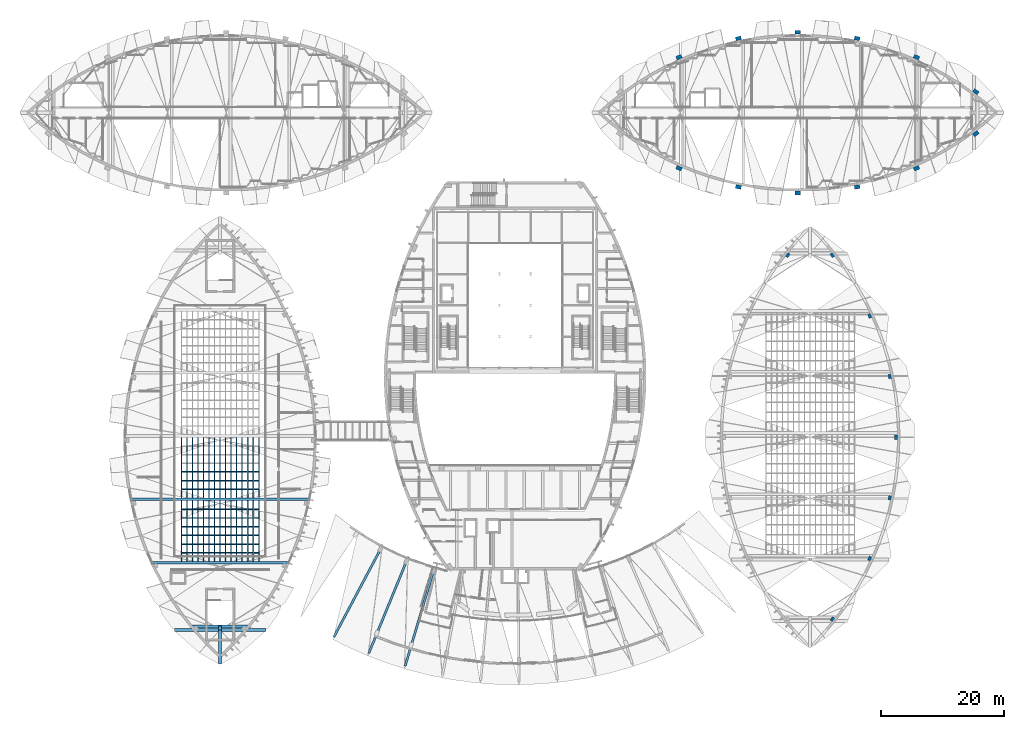
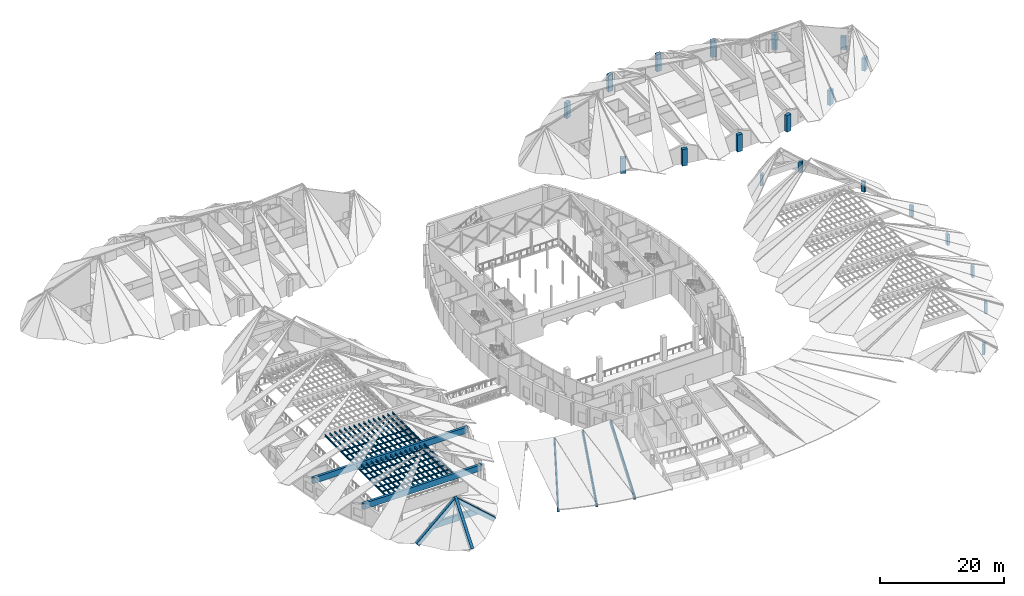
# One storey, part 5 of 56: 48 beams, 20 columns.
"""IFC4 building model written with IfcOpenShell, lengths in metres."""

from ifc_helpers import new_model, si_unit, direction, frame, origin, origin_2d, place, context, subcontext, project, spatial, rectangle, i_section, extrude, material, material_profile, profile_set, type_object, element, save


model = new_model("IFC4")

# Units and contexts
model_context = context("Model", 3, precision=1e-05, world=origin(), true_north=direction((0.0, 1.0)))
body_context = subcontext(model_context, "Body", "Model", "MODEL_VIEW")
ifc_project = project(units=[si_unit("LENGTHUNIT", "METRE"), si_unit("AREAUNIT", "SQUARE_METRE"), si_unit("VOLUMEUNIT", "CUBIC_METRE"), si_unit("PLANEANGLEUNIT", "RADIAN"), si_unit("MASSUNIT", "GRAM", prefix="KILO")], contexts=[model_context])

# Site, building, storey
site_placement = place(None, origin())
site = spatial("IfcSite", under=ifc_project, at=site_placement, CompositionType="ELEMENT")
building_placement = place(site_placement, origin())
building = spatial("IfcBuilding", under=site, at=building_placement, Name="Tide Square Theatres", CompositionType="ELEMENT")
storey_placement = place(building_placement, frame((0.0, 0.0, 10.199951171875)))
storey = spatial("IfcBuildingStorey", under=building, at=storey_placement, Name="L02", CompositionType="ELEMENT", Elevation=10.199951171875)

# Columns
ifc_material_1 = material(Name="Concrete C40", Category="concrete")
ifc_material_profile_1 = material_profile(ifc_material_1, rectangle(XDim=0.699951171875, YDim=0.449951171875, at=origin_2d()))
ifc_profile_set_1 = profile_set([ifc_material_profile_1], Name="Concrete C40")
column_type_1 = type_object("IfcColumnType", Name="RC pier 700 x 450", PredefinedType="PILASTER", material=ifc_profile_set_1)
column_1_placement = place(storey_placement, frame((135.609375, 15.390869140625, 0.0), z_axis=(0.0, 0.0, 1.0), x_axis=(0.625818839057, 0.779968448517, 0.0)))
element("IfcColumn", 1, at=column_1_placement, inside=storey, type_object=column_type_1, Name="Black Box Theatre wall pier", PredefinedType="PILASTER", context=body_context, shape_type="SweptSolid", body=[
    extrude(rectangle(XDim=0.699951171875, YDim=0.449951171875, at=origin_2d()), origin(), (0.0, 0.0, 1.0), 2.12548828125),
])
column_2_placement = place(storey_placement, frame((141.694091796875, 25.261474609375, 0.0), z_axis=(0.0, 0.0, 1.0), x_axis=(0.419559661178, 0.907727762444, 0.0)))
element("IfcColumn", 2, at=column_2_placement, inside=storey, type_object=column_type_1, Name="Black Box Theatre wall pier", PredefinedType="PILASTER", context=body_context, shape_type="SweptSolid", body=[
    extrude(rectangle(XDim=0.699951171875, YDim=0.449951171875, at=origin_2d()), origin(), (0.0, 0.0, 1.0), 2.129150390625),
])
column_3_placement = place(storey_placement, frame((144.962646484375, 35.130615234375, 0.0), z_axis=(0.0, 0.0, 1.0), x_axis=(0.20956121082, 0.977795530221, 0.0)))
element("IfcColumn", 3, at=column_3_placement, inside=storey, type_object=column_type_1, Name="Black Box Theatre wall pier", PredefinedType="PILASTER", context=body_context, shape_type="SweptSolid", body=[
    extrude(rectangle(XDim=0.699951171875, YDim=0.449951171875, at=origin_2d()), origin(), (0.0, 0.0, 1.0), 2.169921875),
])
column_4_placement = place(storey_placement, frame((146.001953125, 45.0, 0.0), z_axis=(0.0, 0.0, 1.0), x_axis=(0.0, 1.0, 0.0)))
element("IfcColumn", 4, at=column_4_placement, inside=storey, type_object=column_type_1, Name="Black Box Theatre wall pier", PredefinedType="PILASTER", context=body_context, shape_type="SweptSolid", body=[
    extrude(rectangle(XDim=0.699951171875, YDim=0.449951171875, at=origin_2d()), origin(), (0.0, 0.0, 1.0), 2.16552734375),
])
column_5_placement = place(storey_placement, frame((144.962646484375, 54.869384765625, 0.0), z_axis=(0.0, 0.0, 1.0), x_axis=(-0.20956121082, 0.977795530221, 0.0)))
element("IfcColumn", 5, at=column_5_placement, inside=storey, type_object=column_type_1, Name="Black Box Theatre wall pier", PredefinedType="PILASTER", context=body_context, shape_type="SweptSolid", body=[
    extrude(rectangle(XDim=0.699951171875, YDim=0.449951171875, at=origin_2d()), origin(), (0.0, 0.0, 1.0), 2.166259765625),
])
column_6_placement = place(storey_placement, frame((141.694091796875, 64.738525390625, 0.0), z_axis=(0.0, 0.0, 1.0), x_axis=(-0.419559661178, 0.907727762444, 0.0)))
element("IfcColumn", 6, at=column_6_placement, inside=storey, type_object=column_type_1, Name="Black Box Theatre wall pier", PredefinedType="PILASTER", context=body_context, shape_type="SweptSolid", body=[
    extrude(rectangle(XDim=0.699951171875, YDim=0.449951171875, at=origin_2d()), origin(), (0.0, 0.0, 1.0), 2.111572265625),
])
for number, where, z_axis, x_axis, name in (
    (7, (135.609375, 74.609130859375, 0.0), (0.0, 0.0, 1.0), (-0.625818839057, 0.779968448517, 0.0), "Black Box Theatre wall pier"),
    (8, (128.390625, 74.609130859375, 0.0), (0.0, 0.0, 1.0), (-0.625818839057, -0.779968448517, 0.0), "Black Box Theatre wall pier"),
):
    element("IfcColumn", number, at=place(storey_placement, frame(where, z_axis=z_axis, x_axis=x_axis)), inside=storey, type_object=column_type_1, Name=name, PredefinedType="PILASTER", context=body_context, shape_type="SweptSolid", body=[
        extrude(rectangle(XDim=0.699951171875, YDim=0.449951171875, at=origin_2d()), origin(), (0.0, 0.0, 1.0), 2.12548828125),
    ])
ifc_material_2 = material(Name="Concrete C40", Category="concrete")
ifc_material_profile_2 = material_profile(ifc_material_2, rectangle(XDim=0.89990234375, YDim=0.60009765625, at=origin_2d()))
ifc_profile_set_2 = profile_set([ifc_material_profile_2], Name="Concrete C40")
column_type_2 = type_object("IfcColumnType", Name="RC pier 900 x 600", PredefinedType="PILASTER", material=ifc_profile_set_2)
column_7_placement = place(storey_placement, frame((110.678955078125, 88.76416015625, 0.0), z_axis=(0.0, 0.0, 1.0), x_axis=(0.915419314521, -0.402501526211, 0.0)))
element("IfcColumn", 9, at=column_7_placement, inside=storey, type_object=column_type_2, Name="Rehearsal Block rib pier 2", PredefinedType="PILASTER", context=body_context, shape_type="SweptSolid", body=[
    extrude(rectangle(XDim=0.89990234375, YDim=0.60009765625, at=origin_2d()), origin(), (0.0, 0.0, 1.0), 3.0498046875),
])
column_8_placement = place(storey_placement, frame((120.339599609375, 85.707275390625, 0.0), z_axis=(0.0, 0.0, 1.0), x_axis=(0.979575047818, -0.201078904144, 0.0)))
element("IfcColumn", 10, at=column_8_placement, inside=storey, type_object=column_type_2, Name="Rehearsal Block rib pier 3", PredefinedType="PILASTER", context=body_context, shape_type="SweptSolid", body=[
    extrude(rectangle(XDim=0.89990234375, YDim=0.60009765625, at=origin_2d()), origin(), (0.0, 0.0, 1.0), 3.293701171875),
])
column_9_placement = place(storey_placement, frame((130.0, 84.731201171875, 0.0), z_axis=(0.0, 0.0, 1.0), x_axis=(1.0, 0.0, 0.0)))
element("IfcColumn", 11, at=column_9_placement, inside=storey, type_object=column_type_2, Name="Rehearsal Block rib pier 4", PredefinedType="PILASTER", context=body_context, shape_type="SweptSolid", body=[
    extrude(rectangle(XDim=0.89990234375, YDim=0.60009765625, at=origin_2d()), origin(), (0.0, 0.0, 1.0), 3.381103515625),
])
column_10_placement = place(storey_placement, frame((139.660400390625, 85.707275390625, 0.0), z_axis=(0.0, 0.0, 1.0), x_axis=(0.979575047818, 0.201078904144, 0.0)))
element("IfcColumn", 12, at=column_10_placement, inside=storey, type_object=column_type_2, Name="Rehearsal Block rib pier 5", PredefinedType="PILASTER", context=body_context, shape_type="SweptSolid", body=[
    extrude(rectangle(XDim=0.89990234375, YDim=0.60009765625, at=origin_2d()), origin(), (0.0, 0.0, 1.0), 3.247314453125),
])
column_11_placement = place(storey_placement, frame((149.321044921875, 88.76416015625, 0.0), z_axis=(0.0, 0.0, 1.0), x_axis=(0.915419314521, 0.402501526211, 0.0)))
element("IfcColumn", 13, at=column_11_placement, inside=storey, type_object=column_type_2, Name="Rehearsal Block rib pier 6", PredefinedType="PILASTER", context=body_context, shape_type="SweptSolid", body=[
    extrude(rectangle(XDim=0.89990234375, YDim=0.60009765625, at=origin_2d()), origin(), (0.0, 0.0, 1.0), 2.909912109375),
])
column_12_placement = place(storey_placement, frame((158.97900390625, 94.390625, 0.0), z_axis=(0.0, 0.0, 1.0), x_axis=(0.80192785119, 0.597420891403, 0.0)))
element("IfcColumn", 14, at=column_12_placement, inside=storey, type_object=column_type_2, Name="Rehearsal Block rib pier 7", PredefinedType="PILASTER", context=body_context, shape_type="SweptSolid", body=[
    extrude(rectangle(XDim=0.89990234375, YDim=0.60009765625, at=origin_2d()), origin(), (0.0, 0.0, 1.0), 2.507080078125),
])
column_13_placement = place(storey_placement, frame((110.678955078125, 106.8359375, 0.0), z_axis=(0.0, 0.0, 1.0), x_axis=(-0.915419314521, -0.402501526211, 0.0)))
element("IfcColumn", 15, at=column_13_placement, inside=storey, type_object=column_type_2, Name="Rehearsal Block rib pier 9", PredefinedType="PILASTER", context=body_context, shape_type="SweptSolid", body=[
    extrude(rectangle(XDim=0.89990234375, YDim=0.60009765625, at=origin_2d()), origin(), (0.0, 0.0, 1.0), 3.0498046875),
])
column_14_placement = place(storey_placement, frame((120.339599609375, 109.892822265625, 0.0), z_axis=(0.0, 0.0, 1.0), x_axis=(-0.979575047818, -0.201078904144, 0.0)))
element("IfcColumn", 16, at=column_14_placement, inside=storey, type_object=column_type_2, Name="Rehearsal Block rib pier 10", PredefinedType="PILASTER", context=body_context, shape_type="SweptSolid", body=[
    extrude(rectangle(XDim=0.89990234375, YDim=0.60009765625, at=origin_2d()), origin(), (0.0, 0.0, 1.0), 3.293701171875),
])
column_15_placement = place(storey_placement, frame((130.0, 110.86865234375, 0.0), z_axis=(0.0, 0.0, 1.0), x_axis=(-1.0, 0.0, 0.0)))
element("IfcColumn", 17, at=column_15_placement, inside=storey, type_object=column_type_2, Name="Rehearsal Block rib pier 11", PredefinedType="PILASTER", context=body_context, shape_type="SweptSolid", body=[
    extrude(rectangle(XDim=0.89990234375, YDim=0.60009765625, at=origin_2d()), origin(), (0.0, 0.0, 1.0), 3.381103515625),
])
column_16_placement = place(storey_placement, frame((139.660400390625, 109.892822265625, 0.0), z_axis=(0.0, 0.0, 1.0), x_axis=(-0.979575047818, 0.201078904144, 0.0)))
element("IfcColumn", 18, at=column_16_placement, inside=storey, type_object=column_type_2, Name="Rehearsal Block rib pier 12", PredefinedType="PILASTER", context=body_context, shape_type="SweptSolid", body=[
    extrude(rectangle(XDim=0.89990234375, YDim=0.60009765625, at=origin_2d()), origin(), (0.0, 0.0, 1.0), 3.247314453125),
])
column_17_placement = place(storey_placement, frame((149.321044921875, 106.8359375, 0.0), z_axis=(0.0, 0.0, 1.0), x_axis=(-0.915419314521, 0.402501526211, 0.0)))
element("IfcColumn", 19, at=column_17_placement, inside=storey, type_object=column_type_2, Name="Rehearsal Block rib pier 13", PredefinedType="PILASTER", context=body_context, shape_type="SweptSolid", body=[
    extrude(rectangle(XDim=0.89990234375, YDim=0.60009765625, at=origin_2d()), origin(), (0.0, 0.0, 1.0), 2.909912109375),
])
column_18_placement = place(storey_placement, frame((158.97900390625, 101.20947265625, 0.0), z_axis=(0.0, 0.0, 1.0), x_axis=(-0.80192785119, 0.597420891403, 0.0)))
element("IfcColumn", 20, at=column_18_placement, inside=storey, type_object=column_type_2, Name="Rehearsal Block rib pier 14", PredefinedType="PILASTER", context=body_context, shape_type="SweptSolid", body=[
    extrude(rectangle(XDim=0.89990234375, YDim=0.60009765625, at=origin_2d()), origin(), (0.0, 0.0, 1.0), 2.507080078125),
])

# Beams
ifc_material_3 = material(Name="Concrete C40", Category="concrete")
ifc_material_profile_3 = material_profile(ifc_material_3, rectangle(XDim=0.449951171875, YDim=1.199951171875, at=origin_2d()))
ifc_profile_set_3 = profile_set([ifc_material_profile_3], Name="Concrete C40")
beam_type_1 = type_object("IfcBeamType", Name="RC eaves tie beam 450 x 1200", PredefinedType="BEAM", material=ifc_profile_set_3)
beam_1_placement = place(storey_placement, frame((40.621826171875, 14.177978515625, 3.11865234375), z_axis=(-1.0, 0.0, 0.0), x_axis=(0.0, -1.0, 0.0)))
element("IfcBeam", 21, at=beam_1_placement, inside=storey, type_object=beam_type_1, Name="Eaves tie beam studio 0", PredefinedType="BEAM", context=body_context, shape_type="SweptSolid", body=[
    extrude(rectangle(XDim=0.449951171875, YDim=1.199951171875, at=origin_2d()), origin(), (0.0, 0.0, 1.0), 9.24365234375),
])
beam_2_placement = place(storey_placement, frame((47.118896484375, 24.559814453125, 3.13134765625), z_axis=(-1.0, 0.0, 0.0), x_axis=(0.0, -1.0, 0.0)))
element("IfcBeam", 22, at=beam_2_placement, inside=storey, type_object=beam_type_1, Name="Eaves tie beam studio 1", PredefinedType="BEAM", context=body_context, shape_type="SweptSolid", body=[
    extrude(rectangle(XDim=0.449951171875, YDim=1.199951171875, at=origin_2d()), origin(), (0.0, 0.0, 1.0), 22.23779296875),
])
beam_3_placement = place(storey_placement, frame((50.504150390625, 34.897216796875, 3.12744140625), z_axis=(-1.0, 0.0, 0.0), x_axis=(0.0, -1.0, 0.0)))
element("IfcBeam", 23, at=beam_3_placement, inside=storey, type_object=beam_type_1, Name="Eaves tie beam studio 2", PredefinedType="BEAM", context=body_context, shape_type="SweptSolid", body=[
    extrude(rectangle(XDim=0.449951171875, YDim=1.199951171875, at=origin_2d()), origin(), (0.0, 0.0, 1.0), 29.00830078125),
])
ifc_material_4 = material(Name="Concrete C40", Category="concrete")
ifc_material_profile_4 = material_profile(ifc_material_4, rectangle(XDim=0.35009765625, YDim=0.699951171875, at=origin_2d()))
ifc_profile_set_4 = profile_set([ifc_material_profile_4], Name="Concrete C40")
beam_type_2 = type_object("IfcBeamType", Name="RC foyer roof rib 350 x 700", PredefinedType="BEAM", material=ifc_profile_set_4)
beam_4_placement = place(storey_placement, frame((62.451416015625, 27.41796875, 1.40869140625), z_axis=(-0.465649562225, -0.875611923958, -0.128352030847), x_axis=(0.882914803087, -0.469533226182, 0.0)))
element("IfcBeam", 24, at=beam_4_placement, inside=storey, type_object=beam_type_2, Name="Foyer roof rib 2", PredefinedType="BEAM", context=body_context, shape_type="SweptSolid", body=[
    extrude(rectangle(XDim=0.35009765625, YDim=0.699951171875, at=origin_2d()), origin(), (0.0, 0.0, 1.0), 16.997314453125),
])
beam_5_placement = place(storey_placement, frame((66.61572265625, 25.495849609375, 2.677734375), z_axis=(-0.373913455897, -0.912155940526, -0.167810213227), x_axis=(0.925276997229, -0.379292075318, 0.0)))
element("IfcBeam", 25, at=beam_5_placement, inside=storey, type_object=beam_type_2, Name="Foyer roof rib 3", PredefinedType="BEAM", context=body_context, shape_type="SweptSolid", body=[
    extrude(rectangle(XDim=0.35009765625, YDim=0.699951171875, at=origin_2d()), origin(), (0.0, 0.0, 1.0), 17.112060546875),
])
beam_6_placement = place(storey_placement, frame((70.92431640625, 23.9423828125, 4.02685546875), z_axis=(-0.278960724462, -0.937216627504, -0.209298608065), x_axis=(0.95844447191, -0.285279151473, 0.0)))
element("IfcBeam", 26, at=beam_6_placement, inside=storey, type_object=beam_type_2, Name="Foyer roof rib 4", PredefinedType="BEAM", context=body_context, shape_type="SweptSolid", body=[
    extrude(rectangle(XDim=0.35009765625, YDim=0.699951171875, at=origin_2d()), origin(), (0.0, 0.0, 1.0), 17.20068359375),
])
ifc_material_5 = material(Name="Concrete C40", Category="concrete")
ifc_material_profile_5 = material_profile(ifc_material_5, rectangle(XDim=0.5, YDim=0.800048828125, at=origin_2d()))
ifc_profile_set_5 = profile_set([ifc_material_profile_5], Name="Concrete C40")
beam_type_3 = type_object("IfcBeamType", Name="RC roof rib 500 x 800", PredefinedType="BEAM", material=ifc_profile_set_5)
for number, where, z_axis, x_axis, name in (
    (27, (43.177001953125, 13.62939453125, 0.828369140625), (-0.746077299514, 0.0, 0.665859341866), (0.0, -1.0, 0.0), "Roof rib studio R0"),
    (28, (28.822998046875, 13.62939453125, 0.828369140625), (0.746077299514, 0.0, 0.665859341866), (0.0, 1.0, 0.0), "Roof rib studio L0"),
):
    element("IfcBeam", number, at=place(storey_placement, frame(where, z_axis=z_axis, x_axis=x_axis)), inside=storey, type_object=beam_type_3, Name=name, PredefinedType="BEAM", context=body_context, shape_type="SweptSolid", body=[
        extrude(rectangle(XDim=0.5, YDim=0.800048828125, at=origin_2d()), origin(), (0.0, 0.0, 1.0), 9.708740234375),
    ])
ifc_material_6 = material(Name="Concrete C40", Category="concrete")
ifc_material_profile_6 = material_profile(ifc_material_6, rectangle(XDim=0.5, YDim=0.800048828125, at=origin_2d()))
ifc_profile_set_6 = profile_set([ifc_material_profile_6], Name="Concrete C40")
beam_type_4 = type_object("IfcBeamType", Name="RC roof ridge beam 500 x 800", PredefinedType="BEAM", material=ifc_profile_set_6)
beam_7_placement = place(storey_placement, frame((36.0, 13.94384765625, 7.6142578125), z_axis=(0.0, -0.617814351068, -0.786323996591), x_axis=(1.0, 0.0, 0.0)))
element("IfcBeam", 29, at=beam_7_placement, inside=storey, type_object=beam_type_4, Name="Hip beam studio", PredefinedType="BEAM", context=body_context, shape_type="SweptSolid", body=[
    extrude(rectangle(XDim=0.5, YDim=0.800048828125, at=origin_2d()), origin(), (0.0, 0.0, 1.0), 8.984130859375),
])
ifc_material_7 = material(Name="Steel ASTM A572 Grade 50", Category="steel")
ifc_material_profile_7 = material_profile(ifc_material_7, i_section(OverallWidth=0.1708984375, OverallDepth=0.35498046875, WebThickness=0.007080078125, FlangeThickness=0.01171875, FilletRadius=0.011962890625, at=origin_2d()))
ifc_profile_set_7 = profile_set([ifc_material_profile_7], Name="Steel ASTM A572 Grade 50")
beam_type_5 = type_object("IfcBeamType", Name="Steel beam W 360 x 51.0", PredefinedType="BEAM", material=ifc_profile_set_7)
for number, where, z_axis, x_axis, name in (
    (30, (42.300048828125, 24.784912109375, 3.12939453125), (0.0, 1.0, 0.0), (-1.0, 0.0, 0.0), "Studio Theatre rigging grid girder"),
    (31, (41.39990234375, 24.784912109375, 3.12939453125), (0.0, 1.0, 0.0), (-1.0, 0.0, 0.0), "Studio Theatre rigging grid girder"),
    (32, (40.5, 24.784912109375, 3.12939453125), (0.0, 1.0, 0.0), (-1.0, 0.0, 0.0), "Studio Theatre rigging grid girder"),
    (33, (39.60009765625, 24.784912109375, 3.12939453125), (0.0, 1.0, 0.0), (-1.0, 0.0, 0.0), "Studio Theatre rigging grid girder"),
    (34, (38.699951171875, 24.784912109375, 3.12939453125), (0.0, 1.0, 0.0), (-1.0, 0.0, 0.0), "Studio Theatre rigging grid girder"),
    (35, (37.800048828125, 24.784912109375, 3.12939453125), (0.0, 1.0, 0.0), (-1.0, 0.0, 0.0), "Studio Theatre rigging grid girder"),
    (36, (36.89990234375, 24.784912109375, 3.12939453125), (0.0, 1.0, 0.0), (-1.0, 0.0, 0.0), "Studio Theatre rigging grid girder"),
    (37, (36.0, 24.784912109375, 3.12939453125), (0.0, 1.0, 0.0), (-1.0, 0.0, 0.0), "Studio Theatre rigging grid girder"),
    (38, (35.10009765625, 24.784912109375, 3.12939453125), (0.0, 1.0, 0.0), (-1.0, 0.0, 0.0), "Studio Theatre rigging grid girder"),
    (39, (34.199951171875, 24.784912109375, 3.12939453125), (0.0, 1.0, 0.0), (-1.0, 0.0, 0.0), "Studio Theatre rigging grid girder"),
    (40, (33.300048828125, 24.784912109375, 3.12939453125), (0.0, 1.0, 0.0), (-1.0, 0.0, 0.0), "Studio Theatre rigging grid girder"),
    (41, (32.39990234375, 24.784912109375, 3.12939453125), (0.0, 1.0, 0.0), (-1.0, 0.0, 0.0), "Studio Theatre rigging grid girder"),
    (42, (31.5, 24.784912109375, 3.12939453125), (0.0, 1.0, 0.0), (-1.0, 0.0, 0.0), "Studio Theatre rigging grid girder"),
    (43, (30.60009765625, 24.784912109375, 3.12939453125), (0.0, 1.0, 0.0), (-1.0, 0.0, 0.0), "Studio Theatre rigging grid girder"),
    (44, (29.699951171875, 24.784912109375, 3.12939453125), (0.0, 1.0, 0.0), (-1.0, 0.0, 0.0), "Studio Theatre rigging grid girder"),
):
    element("IfcBeam", number, at=place(storey_placement, frame(where, z_axis=z_axis, x_axis=x_axis)), inside=storey, type_object=beam_type_5, Name=name, PredefinedType="BEAM", context=body_context, shape_type="SweptSolid", body=[
        extrude(i_section(OverallWidth=0.1708984375, OverallDepth=0.35498046875, WebThickness=0.007080078125, FlangeThickness=0.01171875, FilletRadius=0.011962890625, at=origin_2d()), origin(), (0.0, 0.0, 1.0), 9.887451171875),
    ])
for number, where, z_axis, x_axis, name in (
    (45, (42.300048828125, 35.122314453125, 3.12548828125), (0.0, 1.0, 0.0), (-1.0, 0.0, 0.0), "Studio Theatre rigging grid girder"),
    (46, (41.39990234375, 35.122314453125, 3.12548828125), (0.0, 1.0, 0.0), (-1.0, 0.0, 0.0), "Studio Theatre rigging grid girder"),
    (47, (40.5, 35.122314453125, 3.12548828125), (0.0, 1.0, 0.0), (-1.0, 0.0, 0.0), "Studio Theatre rigging grid girder"),
    (48, (39.60009765625, 35.122314453125, 3.12548828125), (0.0, 1.0, 0.0), (-1.0, 0.0, 0.0), "Studio Theatre rigging grid girder"),
    (49, (38.699951171875, 35.122314453125, 3.12548828125), (0.0, 1.0, 0.0), (-1.0, 0.0, 0.0), "Studio Theatre rigging grid girder"),
    (50, (37.800048828125, 35.122314453125, 3.12548828125), (0.0, 1.0, 0.0), (-1.0, 0.0, 0.0), "Studio Theatre rigging grid girder"),
    (51, (36.89990234375, 35.122314453125, 3.12548828125), (0.0, 1.0, 0.0), (-1.0, 0.0, 0.0), "Studio Theatre rigging grid girder"),
    (52, (36.0, 35.122314453125, 3.12548828125), (0.0, 1.0, 0.0), (-1.0, 0.0, 0.0), "Studio Theatre rigging grid girder"),
    (53, (35.10009765625, 35.122314453125, 3.12548828125), (0.0, 1.0, 0.0), (-1.0, 0.0, 0.0), "Studio Theatre rigging grid girder"),
    (54, (34.199951171875, 35.122314453125, 3.12548828125), (0.0, 1.0, 0.0), (-1.0, 0.0, 0.0), "Studio Theatre rigging grid girder"),
    (55, (33.300048828125, 35.122314453125, 3.12548828125), (0.0, 1.0, 0.0), (-1.0, 0.0, 0.0), "Studio Theatre rigging grid girder"),
    (56, (32.39990234375, 35.122314453125, 3.12548828125), (0.0, 1.0, 0.0), (-1.0, 0.0, 0.0), "Studio Theatre rigging grid girder"),
    (57, (31.5, 35.122314453125, 3.12548828125), (0.0, 1.0, 0.0), (-1.0, 0.0, 0.0), "Studio Theatre rigging grid girder"),
    (58, (30.60009765625, 35.122314453125, 3.12548828125), (0.0, 1.0, 0.0), (-1.0, 0.0, 0.0), "Studio Theatre rigging grid girder"),
    (59, (29.699951171875, 35.122314453125, 3.12548828125), (0.0, 1.0, 0.0), (-1.0, 0.0, 0.0), "Studio Theatre rigging grid girder"),
):
    element("IfcBeam", number, at=place(storey_placement, frame(where, z_axis=z_axis, x_axis=x_axis)), inside=storey, type_object=beam_type_5, Name=name, PredefinedType="BEAM", context=body_context, shape_type="SweptSolid", body=[
        extrude(i_section(OverallWidth=0.1708984375, OverallDepth=0.35498046875, WebThickness=0.007080078125, FlangeThickness=0.01171875, FilletRadius=0.011962890625, at=origin_2d()), origin(), (0.0, 0.0, 1.0), 9.852294921875),
    ])
ifc_material_8 = material(Name="Steel ASTM A572 Grade 50", Category="steel")
ifc_material_profile_8 = material_profile(ifc_material_8, i_section(OverallWidth=0.152099609375, OverallDepth=0.152099609375, WebThickness=0.005859375, FlangeThickness=0.006591796875, FilletRadius=0.010009765625, at=origin_2d()))
ifc_profile_set_8 = profile_set([ifc_material_profile_8], Name="Steel ASTM A572 Grade 50")
beam_type_6 = type_object("IfcBeamType", Name="Steel joist W 150 x 22.5", PredefinedType="JOIST", material=ifc_profile_set_8)
for number, where, z_axis, x_axis, name in (
    (60, (42.300048828125, 26.197509765625, 3.383056640625), (-1.0, 0.0, 0.0), (0.0, -1.0, 0.0), "Studio Theatre rigging grid joist"),
    (61, (42.300048828125, 27.60986328125, 3.383056640625), (-1.0, 0.0, 0.0), (0.0, -1.0, 0.0), "Studio Theatre rigging grid joist"),
    (62, (42.300048828125, 29.0224609375, 3.383056640625), (-1.0, 0.0, 0.0), (0.0, -1.0, 0.0), "Studio Theatre rigging grid joist"),
    (63, (42.300048828125, 30.434814453125, 3.383056640625), (-1.0, 0.0, 0.0), (0.0, -1.0, 0.0), "Studio Theatre rigging grid joist"),
    (64, (42.300048828125, 31.847412109375, 3.383056640625), (-1.0, 0.0, 0.0), (0.0, -1.0, 0.0), "Studio Theatre rigging grid joist"),
    (65, (42.300048828125, 33.259765625, 3.383056640625), (-1.0, 0.0, 0.0), (0.0, -1.0, 0.0), "Studio Theatre rigging grid joist"),
    (66, (42.300048828125, 36.52978515625, 3.37890625), (-1.0, 0.0, 0.0), (0.0, -1.0, 0.0), "Studio Theatre rigging grid joist"),
    (67, (42.300048828125, 37.937255859375, 3.37890625), (-1.0, 0.0, 0.0), (0.0, -1.0, 0.0), "Studio Theatre rigging grid joist"),
    (68, (42.300048828125, 39.3447265625, 3.37890625), (-1.0, 0.0, 0.0), (0.0, -1.0, 0.0), "Studio Theatre rigging grid joist"),
):
    element("IfcBeam", number, at=place(storey_placement, frame(where, z_axis=z_axis, x_axis=x_axis)), inside=storey, type_object=beam_type_6, Name=name, PredefinedType="JOIST", context=body_context, shape_type="SweptSolid", body=[
        extrude(i_section(OverallWidth=0.152099609375, OverallDepth=0.152099609375, WebThickness=0.005859375, FlangeThickness=0.006591796875, FilletRadius=0.010009765625, at=origin_2d()), origin(), (0.0, 0.0, 1.0), 12.60009765625),
    ])

save(model, "model.ifc")
